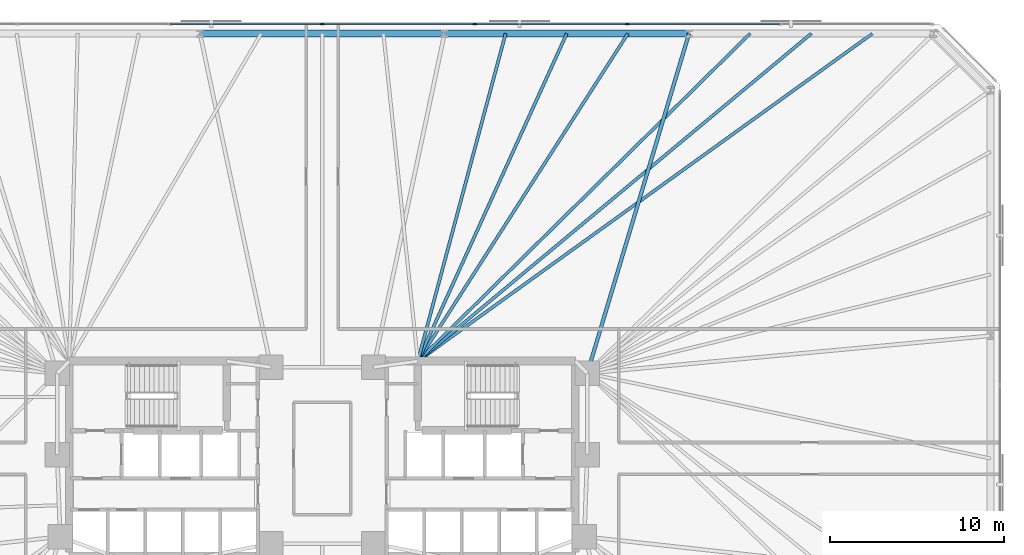
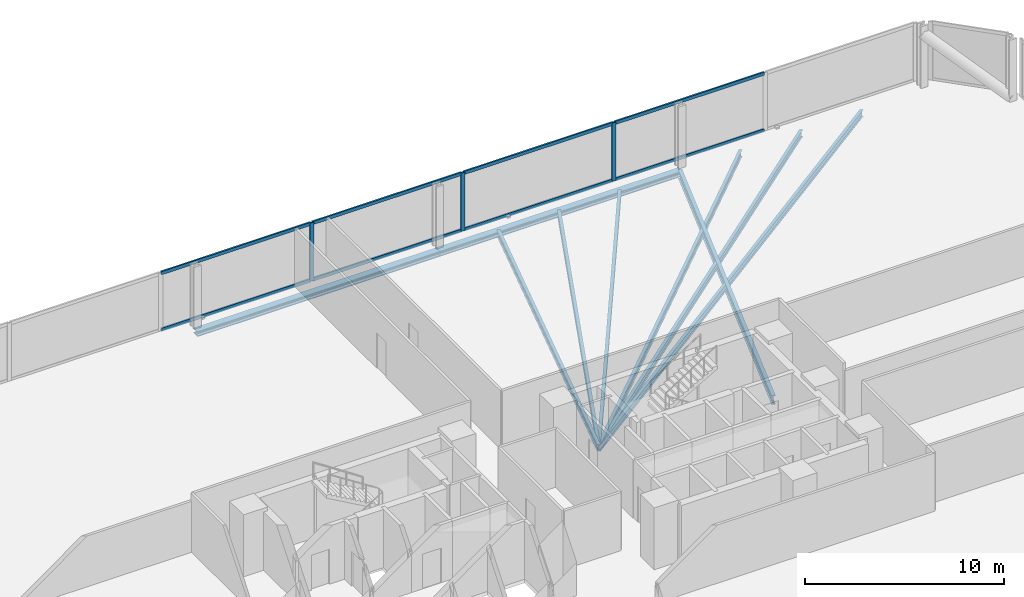
# One storey, part 9 of 16: 11 members, 9 beams, 1 element without a shape of its own.
"""IFC4 building model written with IfcOpenShell, lengths in metres."""

import ifcopenshell
import ifcopenshell.guid

model = None  # the IFC model being written
_history = None  # IfcOwnerHistory: only IFC2X3 demands one
_inside = {}  # id of a spatial element -> (the spatial element, [elements in it])
_under = {}  # id of a project, library or spatial element -> (it, [spatial elements below it])
_declared = {}  # id of a project -> (the project, [libraries it declares])
_typed = {}  # id of a type object -> (the type object, [elements of that type])
_made_of = {}  # id of a material, layer set ... -> (it, [elements and type objects made of it])


def new_model(schema):
    """Start an empty IFC model of exactly this schema.

    Asked for "IFC4X3", IfcOpenShell would pick the latest addendum, in which some entities
    have other attributes; the version numbers below select the first issue.
    IFC2X3 requires an IfcOwnerHistory on every rooted entity: one is made here for all.
    """
    global model, _history
    if schema == "IFC4X3":
        model = ifcopenshell.file(schema_version=(4, 3, 0, 0))
    else:
        model = ifcopenshell.file(schema=schema)
    _inside.clear()
    _under.clear()
    _declared.clear()
    _typed.clear()
    _made_of.clear()
    _history = None
    if model.schema == "IFC2X3":
        org = make("IfcOrganization", Name="unknown")
        user = make(
            "IfcPersonAndOrganization",
            ThePerson=make("IfcPerson", FamilyName="unknown"),
            TheOrganization=org,
        )
        app = make(
            "IfcApplication",
            ApplicationDeveloper=org,
            Version="unknown",
            ApplicationFullName="unknown",
            ApplicationIdentifier="unknown",
        )
        _history = make(
            "IfcOwnerHistory",
            OwningUser=user,
            OwningApplication=app,
            ChangeAction="ADDED",
            CreationDate=0,
        )
    return model


def make(cls, **values):
    """One entity of the class cls with the attributes given. An attribute that is None is left unset."""
    return model.create_entity(
        cls, **{name: value for name, value in values.items() if value is not None}
    )


def rooted(cls, **values):
    """An entity with a GlobalId (a new one), such as an element, a storey or a relation."""
    return make(cls, GlobalId=ifcopenshell.guid.new(), OwnerHistory=_history, **values)


def si_unit(unit_type, name, prefix=None):
    """IfcSIUnit, for example si_unit("LENGTHUNIT", "METRE", prefix="MILLI")."""
    return make("IfcSIUnit", UnitType=unit_type, Prefix=prefix, Name=name)


def assignment(units):
    """IfcUnitAssignment: the units of a project."""
    return None if units is None else make("IfcUnitAssignment", Units=units)


def point(xyz):
    """IfcCartesianPoint."""
    return None if xyz is None else make("IfcCartesianPoint", Coordinates=xyz)


def direction(xyz):
    """IfcDirection."""
    return None if xyz is None else make("IfcDirection", DirectionRatios=xyz)


def frame(location, z_axis=None, x_axis=None):
    """IfcAxis2Placement3D, a coordinate frame: its origin and axes. An axis left out is left unset."""
    return make(
        "IfcAxis2Placement3D",
        Location=point(location),
        Axis=direction(z_axis),
        RefDirection=direction(x_axis),
    )


def frame_2d(location, x_axis=None):
    """IfcAxis2Placement2D, a coordinate frame in the plane: its origin and x axis."""
    return make(
        "IfcAxis2Placement2D", Location=point(location), RefDirection=direction(x_axis)
    )


def origin():
    """The frame at (0, 0, 0) with its axes left unset."""
    return frame((0.0, 0.0, 0.0))


def origin_2d():
    """The frame at (0, 0) in the plane with its x axis left unset."""
    return frame_2d((0.0, 0.0))


def place(relative_to, where):
    """IfcLocalPlacement: puts the frame where relative to a parent placement (None: the world)."""
    return make(
        "IfcLocalPlacement", PlacementRelTo=relative_to, RelativePlacement=where
    )


def context(
    kind, dimensions, precision=None, world=None, true_north=None, identifier=None
):
    """IfcGeometricRepresentationContext, for example the 3D "Model" context."""
    return make(
        "IfcGeometricRepresentationContext",
        ContextIdentifier=identifier,
        ContextType=kind,
        CoordinateSpaceDimension=dimensions,
        Precision=precision,
        WorldCoordinateSystem=world,
        TrueNorth=true_north,
    )


def subcontext(parent, identifier, kind, view, scale=None):
    """IfcGeometricRepresentationSubContext, for example "Body" below "Model"."""
    return make(
        "IfcGeometricRepresentationSubContext",
        ContextIdentifier=identifier,
        ContextType=kind,
        ParentContext=parent,
        TargetScale=scale,
        TargetView=view,
    )


def project(units=None, contexts=None):
    """IfcProject with its units and contexts."""
    return rooted(
        "IfcProject",
        Name="project",
        RepresentationContexts=contexts,
        UnitsInContext=assignment(units),
    )


def spatial(cls, under=None, at=None, **own):
    """A site, building, storey or space (cls), placed at a placement, below another one or the project."""
    s = rooted(cls, ObjectPlacement=at, **own)
    if under is not None:
        _under.setdefault(under.id(), (under, []))[1].append(s)
    return s


def profile(cls, at=None, kind="AREA", **sizes):
    """A parametric profile (cls). Its sizes go by their IFC names, for example OverallWidth=200.0."""
    return make(cls, ProfileType=kind, Position=at, **sizes)


def rectangle(**sizes):
    """IfcRectangleProfileDef."""
    return profile("IfcRectangleProfileDef", **sizes)


def i_section(**sizes):
    """IfcIShapeProfileDef."""
    return profile("IfcIShapeProfileDef", **sizes)


def extrude(swept, where, along, depth):
    """IfcExtrudedAreaSolid: the profile swept, set in the frame where, extruded along a direction by depth."""
    return make(
        "IfcExtrudedAreaSolid",
        SweptArea=swept,
        Position=where,
        ExtrudedDirection=direction(along),
        Depth=depth,
    )


def shape(context_of_items, identifier, shape_type, items):
    """IfcShapeRepresentation: the items that make up one representation, for example the "Body"."""
    return make(
        "IfcShapeRepresentation",
        ContextOfItems=context_of_items,
        RepresentationIdentifier=identifier,
        RepresentationType=shape_type,
        Items=items,
    )


def material(Name=None, Category=None):
    """IfcMaterial."""
    return make("IfcMaterial", Name=Name, Category=Category)


def material_profile(
    of_material, cross_section, Name=None, Category=None, Priority=None
):
    """IfcMaterialProfile: a cross section and its material."""
    return make(
        "IfcMaterialProfile",
        Name=Name,
        Material=of_material,
        Profile=cross_section,
        Priority=Priority,
        Category=Category,
    )


def profile_set(profiles, Name=None, composite=None):
    """IfcMaterialProfileSet."""
    return make(
        "IfcMaterialProfileSet",
        Name=Name,
        MaterialProfiles=profiles,
        CompositeProfile=composite,
    )


def made_of(thing, what):
    """Note that an element or type object is made of a material, layer set ...; save() writes the relation."""
    if what is not None:
        _made_of.setdefault(what.id(), (what, []))[1].append(thing)
    return thing


def type_object(cls, material=None, **own):
    """A type object (cls), such as IfcWallType, which elements share."""
    return made_of(rooted(cls, **own), material)


def element(
    cls,
    number,
    at=None,
    inside=None,
    cuts=None,
    type_object=None,
    material=None,
    context=None,
    identifier="Body",
    shape_type=None,
    held_by="IfcProductDefinitionShape",
    body=None,
    shapes=None,
    **own,
):
    """One element of the class cls, such as IfcWall. Its Tag is "e" and its number.

    at: its placement. inside: the storey or other place that contains it. cuts: it is an
    opening in that element (IfcRelVoidsElement). A single representation is given by context,
    identifier, shape_type and body (its items); several are given by shapes. held_by: the class
    of the entity that holds the representations. save() writes the other relations.
    """
    e = rooted(cls, Tag="e%d" % number, ObjectPlacement=at, **own)
    if body is not None:
        shapes = [shape(context, identifier, shape_type, body)]
    if shapes is not None:
        e.Representation = make(held_by, Representations=shapes)
    if inside is not None:
        _inside.setdefault(inside.id(), (inside, []))[1].append(e)
    if cuts is not None:
        rooted(
            "IfcRelVoidsElement", RelatingBuildingElement=cuts, RelatedOpeningElement=e
        )
    if type_object is not None:
        _typed.setdefault(type_object.id(), (type_object, []))[1].append(e)
    return made_of(e, material)


def aggregate(whole, parts):
    """IfcRelAggregates: a whole, such as a stair, and the parts it consists of."""
    return rooted("IfcRelAggregates", RelatingObject=whole, RelatedObjects=parts)


def save(model, path):
    """Write the relations noted so far, then the file.

    IfcRelAggregates (storeys below a building ...), IfcRelContainedInSpatialStructure (elements
    in a storey), IfcRelDefinesByType, IfcRelAssociatesMaterial and IfcRelDeclares: one each for
    every whole, place, type object, material and project.
    """
    for whole, parts in _under.values():
        aggregate(whole, parts)
    for where, things in _inside.values():
        rooted(
            "IfcRelContainedInSpatialStructure",
            RelatedElements=things,
            RelatingStructure=where,
        )
    for kind, things in _typed.values():
        rooted("IfcRelDefinesByType", RelatedObjects=things, RelatingType=kind)
    for what, things in _made_of.values():
        rooted("IfcRelAssociatesMaterial", RelatedObjects=things, RelatingMaterial=what)
    for by, libraries in _declared.values():
        rooted("IfcRelDeclares", RelatingContext=by, RelatedDefinitions=libraries)
    model.write(path)


model = new_model("IFC4")

# Units and contexts
model_context = context("Model", 3, precision=1e-05, world=origin(), true_north=direction((0.0, 1.0)))
body_context = subcontext(model_context, "Body", "Model", "MODEL_VIEW")
ifc_project = project(units=[si_unit("LENGTHUNIT", "METRE"), si_unit("AREAUNIT", "SQUARE_METRE"), si_unit("VOLUMEUNIT", "CUBIC_METRE"), si_unit("PLANEANGLEUNIT", "RADIAN"), si_unit("MASSUNIT", "GRAM", prefix="KILO")], contexts=[model_context])

# Site, building, storey
site_placement = place(None, origin())
site = spatial("IfcSite", under=ifc_project, at=site_placement, CompositionType="ELEMENT")
building_placement = place(site_placement, origin())
building = spatial("IfcBuilding", under=site, at=building_placement, Name="Menara Jurai Vektor", CompositionType="ELEMENT")
storey_placement = place(building_placement, frame((0.0, 0.0, 14.199951171875)))
storey = spatial("IfcBuildingStorey", under=building, at=storey_placement, Name="L02", CompositionType="ELEMENT", Elevation=14.199951171875)

# Curtain wall, members
ifc_material_1 = material(Name="Anodised Pale Aluminium & Low-E Double Glazing", Category="aluminium")
curtain_wall_type = type_object("IfcCurtainWallType", Name="CW-BLK1", PredefinedType="NOTDEFINED", material=ifc_material_1)
curtain_wall_placement = place(storey_placement, origin())
curtain_wall = element("IfcCurtainWall", 1, at=curtain_wall_placement, inside=storey, type_object=curtain_wall_type, Name="Unitised Curtain Wall L02 F05", PredefinedType="NOTDEFINED")
ifc_material_2 = material(Name="Anodised Pale Aluminium Mullion", Category="aluminium")
ifc_material_profile_1 = material_profile(ifc_material_2, rectangle(XDim=0.094970703125, YDim=0.239990234375, at=origin_2d()), Name="ALU MUL 95x240")
ifc_profile_set_1 = profile_set([ifc_material_profile_1], Name="Anodised Pale Aluminium Mullion")
member_type_1 = type_object("IfcMemberType", Name="CW-BLK1-MUL", PredefinedType="MULLION", material=ifc_profile_set_1)
member_1_placement = place(storey_placement, frame((17.56005859375, 25.0, 0.0), z_axis=(0.0, 0.0, 1.0), x_axis=(0.0, -1.0, 0.0)))
member_1 = element("IfcMember", 2, at=member_1_placement, type_object=member_type_1, Name="CW-01 mullion 3", PredefinedType="MULLION", context=body_context, shape_type="SweptSolid", body=[
    extrude(rectangle(XDim=0.094970703125, YDim=0.239990234375, at=origin_2d()), origin(), (0.0, 0.0, 1.0), 3.574951171875),
])
member_2_placement = place(storey_placement, frame((8.780029296875, 25.0, 0.0), z_axis=(0.0, 0.0, 1.0), x_axis=(0.0, -1.0, 0.0)))
member_2 = element("IfcMember", 3, at=member_2_placement, type_object=member_type_1, Name="CW-01 mullion 4", PredefinedType="MULLION", context=body_context, shape_type="SweptSolid", body=[
    extrude(rectangle(XDim=0.094970703125, YDim=0.239990234375, at=origin_2d()), origin(), (0.0, 0.0, 1.0), 3.574951171875),
])
member_3_placement = place(storey_placement, frame((0.0, 25.0, 0.0), z_axis=(0.0, 0.0, 1.0), x_axis=(0.0, -1.0, 0.0)))
member_3 = element("IfcMember", 4, at=member_3_placement, type_object=member_type_1, Name="CW-01 mullion 5", PredefinedType="MULLION", context=body_context, shape_type="SweptSolid", body=[
    extrude(rectangle(XDim=0.094970703125, YDim=0.239990234375, at=origin_2d()), origin(), (0.0, 0.0, 1.0), 3.574951171875),
])
ifc_material_3 = material(Name="Anodised Pale Aluminium Transom", Category="aluminium")
ifc_material_profile_2 = material_profile(ifc_material_3, rectangle(XDim=0.094970703125, YDim=0.199951171875, at=origin_2d()), Name="ALU TRN 95x200")
ifc_profile_set_2 = profile_set([ifc_material_profile_2], Name="Anodised Pale Aluminium Transom")
member_type_2 = type_object("IfcMemberType", Name="CW-BLK1-TRN", PredefinedType="USERDEFINED", material=ifc_profile_set_2)
member_4_placement = place(storey_placement, frame((26.29248046875, 25.0, 0.047607421875), z_axis=(-1.0, 0.0, 0.0), x_axis=(0.0, -1.0, 0.0)))
member_4 = element("IfcMember", 5, at=member_4_placement, type_object=member_type_2, Name="CW-01 transom 2.1", ObjectType="TRANSOM", PredefinedType="USERDEFINED", context=body_context, shape_type="SweptSolid", body=[
    extrude(rectangle(XDim=0.094970703125, YDim=0.199951171875, at=origin_2d()), origin(), (0.0, 0.0, 1.0), 8.68505859375),
])
member_5_placement = place(storey_placement, frame((26.29248046875, 25.0, 3.527587890625), z_axis=(-1.0, 0.0, 0.0), x_axis=(0.0, -1.0, 0.0)))
member_5 = element("IfcMember", 6, at=member_5_placement, type_object=member_type_2, Name="CW-01 transom 2.2", ObjectType="TRANSOM", PredefinedType="USERDEFINED", context=body_context, shape_type="SweptSolid", body=[
    extrude(rectangle(XDim=0.094970703125, YDim=0.199951171875, at=origin_2d()), origin(), (0.0, 0.0, 1.0), 8.68505859375),
])
member_6_placement = place(storey_placement, frame((17.512451171875, 25.0, 0.047607421875), z_axis=(-1.0, 0.0, 0.0), x_axis=(0.0, -1.0, 0.0)))
member_6 = element("IfcMember", 7, at=member_6_placement, type_object=member_type_2, Name="CW-01 transom 3.1", ObjectType="TRANSOM", PredefinedType="USERDEFINED", context=body_context, shape_type="SweptSolid", body=[
    extrude(rectangle(XDim=0.094970703125, YDim=0.199951171875, at=origin_2d()), origin(), (0.0, 0.0, 1.0), 8.68505859375),
])
member_7_placement = place(storey_placement, frame((17.512451171875, 25.0, 3.527587890625), z_axis=(-1.0, 0.0, 0.0), x_axis=(0.0, -1.0, 0.0)))
member_7 = element("IfcMember", 8, at=member_7_placement, type_object=member_type_2, Name="CW-01 transom 3.2", ObjectType="TRANSOM", PredefinedType="USERDEFINED", context=body_context, shape_type="SweptSolid", body=[
    extrude(rectangle(XDim=0.094970703125, YDim=0.199951171875, at=origin_2d()), origin(), (0.0, 0.0, 1.0), 8.68505859375),
])
member_8_placement = place(storey_placement, frame((8.732421875, 25.0, 0.047607421875), z_axis=(-1.0, 0.0, 0.0), x_axis=(0.0, -1.0, 0.0)))
member_8 = element("IfcMember", 9, at=member_8_placement, type_object=member_type_2, Name="CW-01 transom 4.1", ObjectType="TRANSOM", PredefinedType="USERDEFINED", context=body_context, shape_type="SweptSolid", body=[
    extrude(rectangle(XDim=0.094970703125, YDim=0.199951171875, at=origin_2d()), origin(), (0.0, 0.0, 1.0), 8.684814453125),
])
member_9_placement = place(storey_placement, frame((8.732421875, 25.0, 3.527587890625), z_axis=(-1.0, 0.0, 0.0), x_axis=(0.0, -1.0, 0.0)))
member_9 = element("IfcMember", 10, at=member_9_placement, type_object=member_type_2, Name="CW-01 transom 4.2", ObjectType="TRANSOM", PredefinedType="USERDEFINED", context=body_context, shape_type="SweptSolid", body=[
    extrude(rectangle(XDim=0.094970703125, YDim=0.199951171875, at=origin_2d()), origin(), (0.0, 0.0, 1.0), 8.684814453125),
])
member_10_placement = place(storey_placement, frame((-0.047607421875, 25.0, 0.047607421875), z_axis=(-1.0, 0.0, 0.0), x_axis=(0.0, -1.0, 0.0)))
member_10 = element("IfcMember", 11, at=member_10_placement, type_object=member_type_2, Name="CW-01 transom 5.1", ObjectType="TRANSOM", PredefinedType="USERDEFINED", context=body_context, shape_type="SweptSolid", body=[
    extrude(rectangle(XDim=0.094970703125, YDim=0.199951171875, at=origin_2d()), origin(), (0.0, 0.0, 1.0), 8.684814453125),
])
member_11_placement = place(storey_placement, frame((-0.047607421875, 25.0, 3.527587890625), z_axis=(-1.0, 0.0, 0.0), x_axis=(0.0, -1.0, 0.0)))
member_11 = element("IfcMember", 12, at=member_11_placement, type_object=member_type_2, Name="CW-01 transom 5.2", ObjectType="TRANSOM", PredefinedType="USERDEFINED", context=body_context, shape_type="SweptSolid", body=[
    extrude(rectangle(XDim=0.094970703125, YDim=0.199951171875, at=origin_2d()), origin(), (0.0, 0.0, 1.0), 8.684814453125),
])
aggregate(curtain_wall, [member_1, member_2, member_3, member_4, member_5, member_6, member_7, member_8, member_9, member_10, member_11])

# Beams
ifc_material_4 = material(Name="Steel S355", Category="steel")
ifc_material_profile_3 = material_profile(ifc_material_4, i_section(OverallWidth=0.2109375, OverallDepth=0.5390625, WebThickness=0.011962890625, FlangeThickness=0.01904296875, FilletRadius=0.012939453125, at=origin_2d()), Name="UKB 533x210x109")
ifc_profile_set_3 = profile_set([ifc_material_profile_3], Name="Steel S355")
beam_type_1 = type_object("IfcBeamType", Name="STR-BM-533", PredefinedType="BEAM", material=ifc_profile_set_3)
beam_1_placement = place(storey_placement, frame((21.106689453125, 24.449951171875, -0.494384765625), z_axis=(-0.286973617166, -0.957938486047, 0.0), x_axis=(0.957938486047, -0.286973617166, 0.0)))
element("IfcBeam", 13, at=beam_1_placement, inside=storey, type_object=beam_type_1, Name="Radial Floor Girder L02-N2", PredefinedType="BEAM", context=body_context, shape_type="SweptSolid", body=[
    extrude(i_section(OverallWidth=0.2109375, OverallDepth=0.5390625, WebThickness=0.011962890625, FlangeThickness=0.01904296875, FilletRadius=0.012939453125, at=origin_2d()), origin(), (0.0, 0.0, 1.0), 20.408447265625),
])
ifc_material_5 = material(Name="Steel S460", Category="steel")
ifc_material_profile_4 = material_profile(ifc_material_5, i_section(OverallWidth=0.39697265625, OverallDepth=0.31591796875, WebThickness=0.030029296875, FlangeThickness=0.048095703125, FilletRadius=0.014892578125, at=origin_2d()), Name="HD 400x382")
ifc_profile_set_4 = profile_set([ifc_material_profile_4], Name="Steel S460")
beam_type_2 = type_object("IfcBeamType", Name="STR-BM-CHORD382", PredefinedType="SPANDREL", material=ifc_profile_set_4)
beam_2_placement = place(storey_placement, frame((21.106689453125, 24.449951171875, -0.383056640625), z_axis=(-1.0, 0.0, 0.0), x_axis=(0.0, -1.0, 0.0)))
element("IfcBeam", 14, at=beam_2_placement, inside=storey, type_object=beam_type_2, Name="Exoskeleton Spandrel Beam L02-12", PredefinedType="SPANDREL", context=body_context, shape_type="SweptSolid", body=[
    extrude(i_section(OverallWidth=0.39697265625, OverallDepth=0.31591796875, WebThickness=0.030029296875, FlangeThickness=0.048095703125, FilletRadius=0.014892578125, at=origin_2d()), origin(), (0.0, 0.0, 1.0), 14.071044921875),
])
beam_3_placement = place(storey_placement, frame((7.03564453125, 24.449951171875, -0.383056640625), z_axis=(-1.0, 0.0, 0.0), x_axis=(0.0, -1.0, 0.0)))
element("IfcBeam", 15, at=beam_3_placement, inside=storey, type_object=beam_type_2, Name="Exoskeleton Spandrel Beam L02-13", PredefinedType="SPANDREL", context=body_context, shape_type="SweptSolid", body=[
    extrude(i_section(OverallWidth=0.39697265625, OverallDepth=0.31591796875, WebThickness=0.030029296875, FlangeThickness=0.048095703125, FilletRadius=0.014892578125, at=origin_2d()), origin(), (0.0, 0.0, 1.0), 14.0712890625),
])
ifc_material_profile_5 = material_profile(ifc_material_4, i_section(OverallWidth=0.178955078125, OverallDepth=0.408935546875, WebThickness=0.009033203125, FlangeThickness=0.013916015625, FilletRadius=0.010009765625, at=origin_2d()), Name="UKB 406x178x67")
ifc_profile_set_5 = profile_set([ifc_material_profile_5], Name="Steel S355")
beam_type_3 = type_object("IfcBeamType", Name="STR-JS-406", PredefinedType="JOIST", material=ifc_profile_set_5)
beam_4_placement = place(storey_placement, frame((31.659912109375, 24.449951171875, -0.429443359375), z_axis=(-0.81131785733, -0.584605280833, 0.0), x_axis=(0.584605280833, -0.81131785733, 0.0)))
element("IfcBeam", 16, at=beam_4_placement, inside=storey, type_object=beam_type_3, Name="Radial Secondary Floor Joist L02-JS16", PredefinedType="JOIST", context=body_context, shape_type="SweptSolid", body=[
    extrude(i_section(OverallWidth=0.178955078125, OverallDepth=0.408935546875, WebThickness=0.009033203125, FlangeThickness=0.013916015625, FilletRadius=0.010009765625, at=origin_2d()), origin(), (0.0, 0.0, 1.0), 32.24365234375),
])
beam_5_placement = place(storey_placement, frame((28.142333984375, 24.449951171875, -0.429443359375), z_axis=(-0.76853431665, -0.639808568347, 0.0), x_axis=(0.639808568347, -0.76853431665, 0.0)))
element("IfcBeam", 17, at=beam_5_placement, inside=storey, type_object=beam_type_3, Name="Radial Secondary Floor Joist L02-JS17", PredefinedType="JOIST", context=body_context, shape_type="SweptSolid", body=[
    extrude(i_section(OverallWidth=0.178955078125, OverallDepth=0.408935546875, WebThickness=0.009033203125, FlangeThickness=0.013916015625, FilletRadius=0.010009765625, at=origin_2d()), origin(), (0.0, 0.0, 1.0), 29.461669921875),
])
beam_6_placement = place(storey_placement, frame((24.62451171875, 24.449951171875, -0.429443359375), z_axis=(-0.712202462998, -0.70197411042, 0.0), x_axis=(0.70197411042, -0.712202462998, 0.0)))
element("IfcBeam", 18, at=beam_6_placement, inside=storey, type_object=beam_type_3, Name="Radial Secondary Floor Joist L02-JS18", PredefinedType="JOIST", context=body_context, shape_type="SweptSolid", body=[
    extrude(i_section(OverallWidth=0.178955078125, OverallDepth=0.408935546875, WebThickness=0.009033203125, FlangeThickness=0.013916015625, FilletRadius=0.010009765625, at=origin_2d()), origin(), (0.0, 0.0, 1.0), 26.8525390625),
])
beam_7_placement = place(storey_placement, frame((17.5888671875, 24.449951171875, -0.429443359375), z_axis=(-0.53984422461, -0.841764939372, 0.0), x_axis=(0.841764939372, -0.53984422461, 0.0)))
element("IfcBeam", 19, at=beam_7_placement, inside=storey, type_object=beam_type_3, Name="Radial Secondary Floor Joist L02-JS19", PredefinedType="JOIST", context=body_context, shape_type="SweptSolid", body=[
    extrude(i_section(OverallWidth=0.178955078125, OverallDepth=0.408935546875, WebThickness=0.009033203125, FlangeThickness=0.013916015625, FilletRadius=0.010009765625, at=origin_2d()), origin(), (0.0, 0.0, 1.0), 22.393310546875),
])
beam_8_placement = place(storey_placement, frame((14.071044921875, 24.449951171875, -0.429443359375), z_axis=(-0.413920197297, -0.910313171535, 0.0), x_axis=(0.910313171535, -0.413920197297, 0.0)))
element("IfcBeam", 20, at=beam_8_placement, inside=storey, type_object=beam_type_3, Name="Radial Secondary Floor Joist L02-JS20", PredefinedType="JOIST", context=body_context, shape_type="SweptSolid", body=[
    extrude(i_section(OverallWidth=0.178955078125, OverallDepth=0.408935546875, WebThickness=0.009033203125, FlangeThickness=0.013916015625, FilletRadius=0.010009765625, at=origin_2d()), origin(), (0.0, 0.0, 1.0), 20.70703125),
])
beam_9_placement = place(storey_placement, frame((10.55322265625, 24.449951171875, -0.429443359375), z_axis=(-0.258934723238, -0.965894823002, 0.0), x_axis=(0.965894823002, -0.258934723238, 0.0)))
element("IfcBeam", 21, at=beam_9_placement, inside=storey, type_object=beam_type_3, Name="Radial Secondary Floor Joist L02-JS21", PredefinedType="JOIST", context=body_context, shape_type="SweptSolid", body=[
    extrude(i_section(OverallWidth=0.178955078125, OverallDepth=0.408935546875, WebThickness=0.009033203125, FlangeThickness=0.013916015625, FilletRadius=0.010009765625, at=origin_2d()), origin(), (0.0, 0.0, 1.0), 19.515380859375),
])

save(model, "model.ifc")
